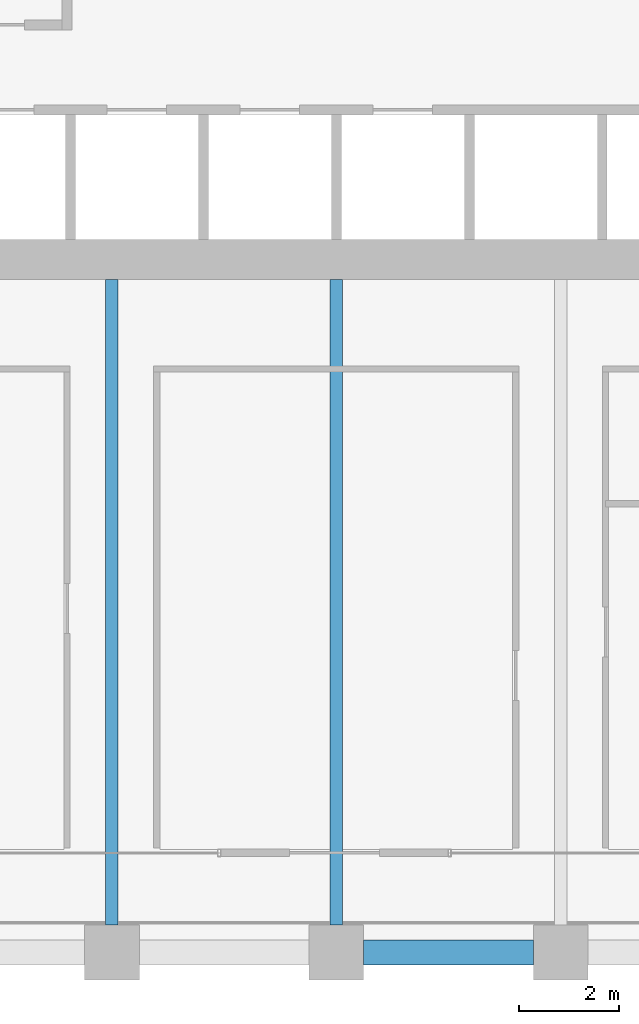
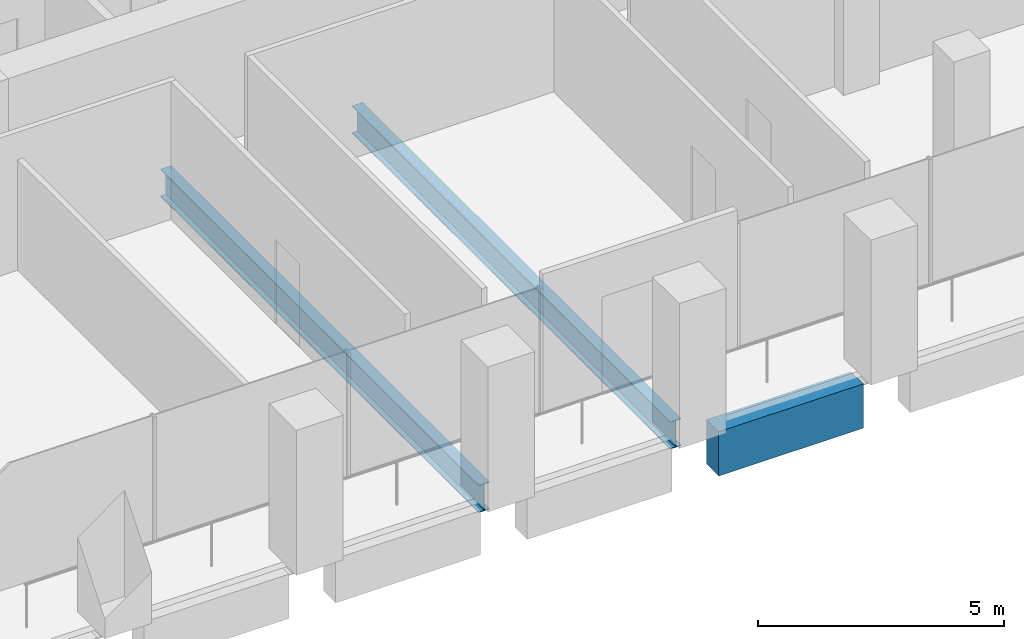
# One storey, part 8 of 56: 3 beams.
"""IFC4 building model written with IfcOpenShell, lengths in metres."""

from ifc_helpers import new_model, si_unit, direction, frame, origin, origin_2d, place, context, subcontext, project, spatial, rectangle, i_section, extrude, material, material_profile, profile_set, type_object, element, save


model = new_model("IFC4")

# Units and contexts
model_context = context("Model", 3, precision=1e-05, world=origin(), true_north=direction((0.0, 1.0)))
body_context = subcontext(model_context, "Body", "Model", "MODEL_VIEW")
ifc_project = project(units=[si_unit("LENGTHUNIT", "METRE"), si_unit("AREAUNIT", "SQUARE_METRE"), si_unit("VOLUMEUNIT", "CUBIC_METRE"), si_unit("PLANEANGLEUNIT", "RADIAN"), si_unit("MASSUNIT", "GRAM", prefix="KILO")], contexts=[model_context])

# Site, building, storey
site_placement = place(None, origin())
site = spatial("IfcSite", under=ifc_project, at=site_placement, CompositionType="ELEMENT")
building_placement = place(site_placement, origin())
building = spatial("IfcBuilding", under=site, at=building_placement, Name="Altepetl Exchange Towers", CompositionType="ELEMENT")
storey_placement = place(building_placement, frame((0.0, 0.0, 72.60009765625)))
storey = spatial("IfcBuildingStorey", under=building, at=storey_placement, Name="L17", CompositionType="ELEMENT", Elevation=72.60009765625)

# Beams
ifc_material_1 = material(Name="Steel S355", Category="steel")
ifc_material_profile_1 = material_profile(ifc_material_1, i_section(OverallWidth=0.25390625, OverallDepth=0.68408203125, WebThickness=0.012451171875, FlangeThickness=0.018798828125, at=origin_2d()), Name="W27X94")
ifc_profile_set_1 = profile_set([ifc_material_profile_1], Name="Steel S355")
beam_type_1 = type_object("IfcBeamType", Name="Floor beam W27X94", PredefinedType="BEAM", material=ifc_profile_set_1)
for number, where, z_axis, x_axis, name in (
    (1, (45.0, 27.550048828125, -0.4921875), (0.0, 1.0, 0.0), (-1.0, 0.0, 0.0), "bm:A:L17:015"),
    (2, (49.5, 27.550048828125, -0.4921875), (0.0, 1.0, 0.0), (-1.0, 0.0, 0.0), "bm:A:L17:016"),
):
    element("IfcBeam", number, at=place(storey_placement, frame(where, z_axis=z_axis, x_axis=x_axis)), inside=storey, type_object=beam_type_1, Name=name, PredefinedType="BEAM", context=body_context, shape_type="SweptSolid", body=[
        extrude(i_section(OverallWidth=0.25390625, OverallDepth=0.68408203125, WebThickness=0.012451171875, FlangeThickness=0.018798828125, at=origin_2d()), origin(), (0.0, 0.0, 1.0), 12.949951171875),
    ])
ifc_material_2 = material(Name="Concrete C50/60 precast with cantera blanca facing", Category="concrete")
ifc_material_profile_2 = material_profile(ifc_material_2, rectangle(XDim=0.5, YDim=1.10009765625, at=origin_2d()), Name="500 x 1100")
ifc_profile_set_2 = profile_set([ifc_material_profile_2], Name="Concrete C50/60 precast with cantera blanca facing")
beam_type_2 = type_object("IfcBeamType", Name="Spandrel beam 500x1100 cantera blanca", PredefinedType="SPANDREL", material=ifc_profile_set_2)
beam_placement = place(storey_placement, frame((50.050048828125, 27.0, -0.7001953125), z_axis=(1.0, 0.0, 0.0), x_axis=(0.0, 1.0, 0.0)))
element("IfcBeam", 3, at=beam_placement, inside=storey, type_object=beam_type_2, Name="sp:A:L17:004", PredefinedType="SPANDREL", context=body_context, shape_type="SweptSolid", body=[
    extrude(rectangle(XDim=0.5, YDim=1.10009765625, at=origin_2d()), origin(), (0.0, 0.0, 1.0), 3.39990234375),
])

save(model, "model.ifc")
